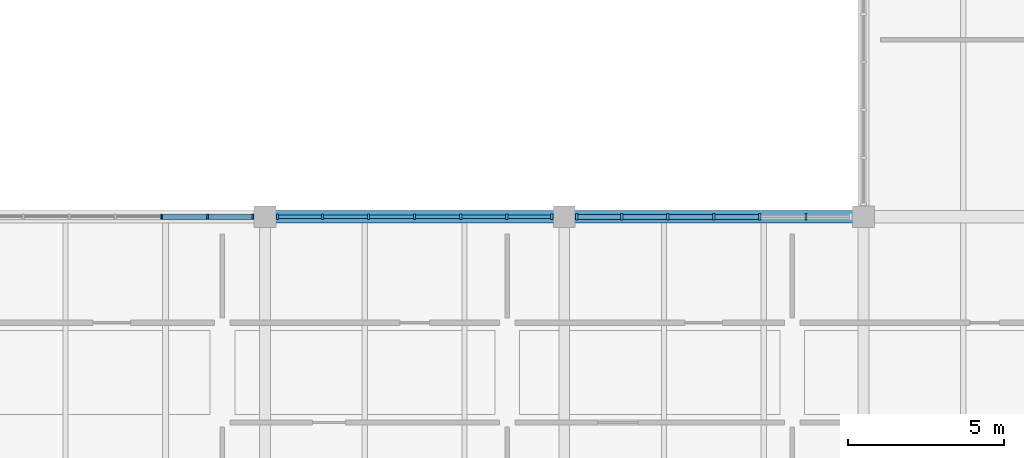
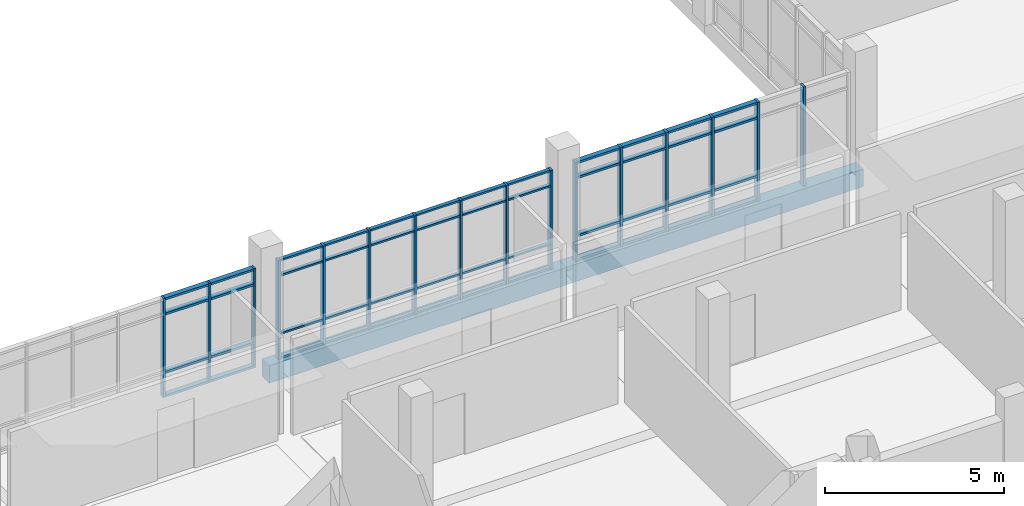
# One storey, part 9 of 57: 64 members, 2 beams, 3 elements without a shape of their own.
"""IFC4 building model written with IfcOpenShell, lengths in metres."""

from ifc_helpers import new_model, si_unit, direction, frame, origin, origin_2d, place, context, subcontext, project, spatial, rectangle, extrude, material, material_profile, profile_set, type_object, element, aggregate, save


model = new_model("IFC4")

# Units and contexts
model_context = context("Model", 3, precision=1e-05, world=origin(), true_north=direction((0.0, 1.0)))
body_context = subcontext(model_context, "Body", "Model", "MODEL_VIEW")
ifc_project = project(units=[si_unit("LENGTHUNIT", "METRE"), si_unit("AREAUNIT", "SQUARE_METRE"), si_unit("VOLUMEUNIT", "CUBIC_METRE"), si_unit("PLANEANGLEUNIT", "RADIAN"), si_unit("MASSUNIT", "GRAM", prefix="KILO")], contexts=[model_context])

# Site, building, storey
site_placement = place(None, origin())
site = spatial("IfcSite", under=ifc_project, at=site_placement, CompositionType="ELEMENT")
building_placement = place(site_placement, origin())
building = spatial("IfcBuilding", under=site, at=building_placement, Name="Oolite Switchyard Hospital", CompositionType="ELEMENT")
storey_placement = place(building_placement, frame((0.0, 0.0, 17.800048828125)))
storey = spatial("IfcBuildingStorey", under=building, at=storey_placement, Name="L04", CompositionType="ELEMENT", Elevation=17.800048828125)

# Beams
ifc_material_1 = material(Name="Concrete C40/50", Category="concrete")
ifc_material_profile_1 = material_profile(ifc_material_1, rectangle(XDim=0.39990234375, YDim=0.60009765625, at=origin_2d()), Name="RCB400X600")
ifc_profile_set_1 = profile_set([ifc_material_profile_1], Name="Concrete C40/50")
beam_type = type_object("IfcBeamType", Name="BM-RC400X600", PredefinedType="BEAM", material=ifc_profile_set_1)
beam_1_placement = place(storey_placement, frame((163.199951171875, 25.199951171875, -0.300048828125), z_axis=(1.0, 0.0, 0.0), x_axis=(0.0, 1.0, 0.0)))
element("IfcBeam", 1, at=beam_1_placement, inside=storey, type_object=beam_type, Name="L04 X-Girder 2774", PredefinedType="BEAM", context=body_context, shape_type="SweptSolid", body=[
    extrude(rectangle(XDim=0.39990234375, YDim=0.60009765625, at=origin_2d()), origin(), (0.0, 0.0, 1.0), 9.60009765625),
])
beam_2_placement = place(storey_placement, frame((172.800048828125, 25.199951171875, -0.300048828125), z_axis=(1.0, 0.0, 0.0), x_axis=(0.0, 1.0, 0.0)))
element("IfcBeam", 2, at=beam_2_placement, inside=storey, type_object=beam_type, Name="L04 X-Girder 2775", PredefinedType="BEAM", context=body_context, shape_type="SweptSolid", body=[
    extrude(rectangle(XDim=0.39990234375, YDim=0.60009765625, at=origin_2d()), origin(), (0.0, 0.0, 1.0), 9.599853515625),
])

# Curtain wall, members
ifc_material_2 = material(Name="Thermally broken aluminum frame with laminated impact glazing", Category="aluminium")
curtain_wall_type = type_object("IfcCurtainWallType", Name="CW-UNIT-96X42", PredefinedType="USERDEFINED", material=ifc_material_2)
curtain_wall_1_placement = place(storey_placement, origin())
curtain_wall_1 = element("IfcCurtainWall", 3, at=curtain_wall_1_placement, inside=storey, type_object=curtain_wall_type, Name="L04 Unitised Curtain Wall 359", ObjectType="UNITISED", PredefinedType="USERDEFINED")
ifc_material_3 = material(Name="Aluminium 6063-T6", Category="aluminium")
ifc_material_profile_2 = material_profile(ifc_material_3, rectangle(XDim=0.159912109375, YDim=0.06005859375, at=origin_2d()), Name="CWM60X160")
ifc_profile_set_2 = profile_set([ifc_material_profile_2], Name="Aluminium 6063-T6")
member_type_1 = type_object("IfcMemberType", Name="CW-MUL-180", PredefinedType="MULLION", material=ifc_profile_set_2)
member_1_placement = place(storey_placement, frame((159.87841796875, 25.199951171875, 0.0), z_axis=(0.0, 0.0, 1.0), x_axis=(0.0, 1.0, 0.0)))
member_1 = element("IfcMember", 4, at=member_1_placement, type_object=member_type_1, Name="CW-05 mullion 5", PredefinedType="MULLION", context=body_context, shape_type="SweptSolid", body=[
    extrude(rectangle(XDim=0.159912109375, YDim=0.06005859375, at=origin_2d()), origin(), (0.0, 0.0, 1.0), 3.389892578125),
])
member_2_placement = place(storey_placement, frame((161.356689453125, 25.199951171875, 0.0), z_axis=(0.0, 0.0, 1.0), x_axis=(0.0, 1.0, 0.0)))
member_2 = element("IfcMember", 5, at=member_2_placement, type_object=member_type_1, Name="CW-05 mullion 6", PredefinedType="MULLION", context=body_context, shape_type="SweptSolid", body=[
    extrude(rectangle(XDim=0.159912109375, YDim=0.06005859375, at=origin_2d()), origin(), (0.0, 0.0, 1.0), 3.389892578125),
])
member_3_placement = place(storey_placement, frame((162.804931640625, 25.199951171875, 0.0), z_axis=(0.0, 0.0, 1.0), x_axis=(0.0, 1.0, 0.0)))
member_3 = element("IfcMember", 6, at=member_3_placement, type_object=member_type_1, Name="CW-05 mullion 7", PredefinedType="MULLION", context=body_context, shape_type="SweptSolid", body=[
    extrude(rectangle(XDim=0.159912109375, YDim=0.06005859375, at=origin_2d()), origin(), (0.0, 0.0, 1.0), 3.389892578125),
])

curtain_wall_2_placement = place(storey_placement, origin())
curtain_wall_2 = element("IfcCurtainWall", 7, at=curtain_wall_2_placement, inside=storey, type_object=curtain_wall_type, Name="L04 Unitised Curtain Wall 360", ObjectType="UNITISED", PredefinedType="USERDEFINED")
ifc_material_profile_3 = material_profile(ifc_material_3, rectangle(XDim=0.179931640625, YDim=0.070068359375, at=origin_2d()), Name="CWM70X180")
ifc_profile_set_3 = profile_set([ifc_material_profile_3], Name="Aluminium 6063-T6")
member_type_2 = type_object("IfcMemberType", Name="CW-MUL-220", PredefinedType="MULLION", material=ifc_profile_set_3)
member_4_placement = place(storey_placement, frame((163.60009765625, 25.199951171875, 0.0), z_axis=(0.0, 0.0, 1.0), x_axis=(0.0, 1.0, 0.0)))
member_4 = element("IfcMember", 8, at=member_4_placement, type_object=member_type_2, Name="CW-05 mullion 1", PredefinedType="MULLION", context=body_context, shape_type="SweptSolid", body=[
    extrude(rectangle(XDim=0.179931640625, YDim=0.070068359375, at=origin_2d()), origin(), (0.0, 0.0, 1.0), 3.389892578125),
])
member_5_placement = place(storey_placement, frame((165.043212890625, 25.199951171875, 0.0), z_axis=(0.0, 0.0, 1.0), x_axis=(0.0, 1.0, 0.0)))
member_5 = element("IfcMember", 9, at=member_5_placement, type_object=member_type_2, Name="CW-05 mullion 2", PredefinedType="MULLION", context=body_context, shape_type="SweptSolid", body=[
    extrude(rectangle(XDim=0.179931640625, YDim=0.070068359375, at=origin_2d()), origin(), (0.0, 0.0, 1.0), 3.389892578125),
])
member_6_placement = place(storey_placement, frame((166.521728515625, 25.199951171875, 0.0), z_axis=(0.0, 0.0, 1.0), x_axis=(0.0, 1.0, 0.0)))
member_6 = element("IfcMember", 10, at=member_6_placement, type_object=member_type_2, Name="CW-05 mullion 3", PredefinedType="MULLION", context=body_context, shape_type="SweptSolid", body=[
    extrude(rectangle(XDim=0.179931640625, YDim=0.070068359375, at=origin_2d()), origin(), (0.0, 0.0, 1.0), 3.389892578125),
])
member_7_placement = place(storey_placement, frame((168.0, 25.199951171875, 0.0), z_axis=(0.0, 0.0, 1.0), x_axis=(0.0, 1.0, 0.0)))
member_7 = element("IfcMember", 11, at=member_7_placement, type_object=member_type_2, Name="CW-05 mullion 4", PredefinedType="MULLION", context=body_context, shape_type="SweptSolid", body=[
    extrude(rectangle(XDim=0.179931640625, YDim=0.070068359375, at=origin_2d()), origin(), (0.0, 0.0, 1.0), 3.389892578125),
])
member_8_placement = place(storey_placement, frame((169.478271484375, 25.199951171875, 0.0), z_axis=(0.0, 0.0, 1.0), x_axis=(0.0, 1.0, 0.0)))
member_8 = element("IfcMember", 12, at=member_8_placement, type_object=member_type_2, Name="CW-05 mullion 5", PredefinedType="MULLION", context=body_context, shape_type="SweptSolid", body=[
    extrude(rectangle(XDim=0.179931640625, YDim=0.070068359375, at=origin_2d()), origin(), (0.0, 0.0, 1.0), 3.389892578125),
])
member_9_placement = place(storey_placement, frame((170.956787109375, 25.199951171875, 0.0), z_axis=(0.0, 0.0, 1.0), x_axis=(0.0, 1.0, 0.0)))
member_9 = element("IfcMember", 13, at=member_9_placement, type_object=member_type_2, Name="CW-05 mullion 6", PredefinedType="MULLION", context=body_context, shape_type="SweptSolid", body=[
    extrude(rectangle(XDim=0.179931640625, YDim=0.070068359375, at=origin_2d()), origin(), (0.0, 0.0, 1.0), 3.389892578125),
])
member_10_placement = place(storey_placement, frame((172.39990234375, 25.199951171875, 0.0), z_axis=(0.0, 0.0, 1.0), x_axis=(0.0, 1.0, 0.0)))
member_10 = element("IfcMember", 14, at=member_10_placement, type_object=member_type_2, Name="CW-05 mullion 7", PredefinedType="MULLION", context=body_context, shape_type="SweptSolid", body=[
    extrude(rectangle(XDim=0.179931640625, YDim=0.070068359375, at=origin_2d()), origin(), (0.0, 0.0, 1.0), 3.389892578125),
])

curtain_wall_3_placement = place(storey_placement, origin())
curtain_wall_3 = element("IfcCurtainWall", 15, at=curtain_wall_3_placement, inside=storey, type_object=curtain_wall_type, Name="L04 Unitised Curtain Wall 361", ObjectType="UNITISED", PredefinedType="USERDEFINED")
ifc_material_profile_4 = material_profile(ifc_material_3, rectangle(XDim=0.199951171875, YDim=0.074951171875, at=origin_2d()), Name="CWM75X200")
ifc_profile_set_4 = profile_set([ifc_material_profile_4], Name="Aluminium 6063-T6")
member_type_3 = type_object("IfcMemberType", Name="CW-MUL-260", PredefinedType="MULLION", material=ifc_profile_set_4)
member_11_placement = place(storey_placement, frame((173.202392578125, 25.199951171875, 0.0), z_axis=(0.0, 0.0, 1.0), x_axis=(0.0, 1.0, 0.0)))
member_11 = element("IfcMember", 16, at=member_11_placement, type_object=member_type_3, Name="CW-05 mullion 1", PredefinedType="MULLION", context=body_context, shape_type="SweptSolid", body=[
    extrude(rectangle(XDim=0.199951171875, YDim=0.074951171875, at=origin_2d()), origin(), (0.0, 0.0, 1.0), 3.389892578125),
])
member_12_placement = place(storey_placement, frame((174.643310546875, 25.199951171875, 0.0), z_axis=(0.0, 0.0, 1.0), x_axis=(0.0, 1.0, 0.0)))
member_12 = element("IfcMember", 17, at=member_12_placement, type_object=member_type_3, Name="CW-05 mullion 2", PredefinedType="MULLION", context=body_context, shape_type="SweptSolid", body=[
    extrude(rectangle(XDim=0.199951171875, YDim=0.074951171875, at=origin_2d()), origin(), (0.0, 0.0, 1.0), 3.389892578125),
])
member_13_placement = place(storey_placement, frame((176.12158203125, 25.199951171875, 0.0), z_axis=(0.0, 0.0, 1.0), x_axis=(0.0, 1.0, 0.0)))
member_13 = element("IfcMember", 18, at=member_13_placement, type_object=member_type_3, Name="CW-05 mullion 3", PredefinedType="MULLION", context=body_context, shape_type="SweptSolid", body=[
    extrude(rectangle(XDim=0.199951171875, YDim=0.074951171875, at=origin_2d()), origin(), (0.0, 0.0, 1.0), 3.389892578125),
])
member_14_placement = place(storey_placement, frame((177.60009765625, 25.199951171875, 0.0), z_axis=(0.0, 0.0, 1.0), x_axis=(0.0, 1.0, 0.0)))
member_14 = element("IfcMember", 19, at=member_14_placement, type_object=member_type_3, Name="CW-05 mullion 4", PredefinedType="MULLION", context=body_context, shape_type="SweptSolid", body=[
    extrude(rectangle(XDim=0.199951171875, YDim=0.074951171875, at=origin_2d()), origin(), (0.0, 0.0, 1.0), 3.389892578125),
])
member_15_placement = place(storey_placement, frame((179.078369140625, 25.199951171875, 0.0), z_axis=(0.0, 0.0, 1.0), x_axis=(0.0, 1.0, 0.0)))
member_15 = element("IfcMember", 20, at=member_15_placement, type_object=member_type_3, Name="CW-05 mullion 5", PredefinedType="MULLION", context=body_context, shape_type="SweptSolid", body=[
    extrude(rectangle(XDim=0.199951171875, YDim=0.074951171875, at=origin_2d()), origin(), (0.0, 0.0, 1.0), 3.389892578125),
])
member_16_placement = place(storey_placement, frame((180.556640625, 25.199951171875, 0.0), z_axis=(0.0, 0.0, 1.0), x_axis=(0.0, 1.0, 0.0)))
member_16 = element("IfcMember", 21, at=member_16_placement, type_object=member_type_3, Name="CW-05 mullion 6", PredefinedType="MULLION", context=body_context, shape_type="SweptSolid", body=[
    extrude(rectangle(XDim=0.199951171875, YDim=0.074951171875, at=origin_2d()), origin(), (0.0, 0.0, 1.0), 3.389892578125),
])

# Member
ifc_material_profile_5 = material_profile(ifc_material_3, rectangle(XDim=0.1201171875, YDim=0.06005859375, at=origin_2d()), Name="CWT60X120")
ifc_profile_set_5 = profile_set([ifc_material_profile_5], Name="Aluminium 6063-T6")
member_type_4 = type_object("IfcMemberType", Name="CW-TRN-150", PredefinedType="USERDEFINED", material=ifc_profile_set_5)
member_17_placement = place(storey_placement, frame((163.635009765625, 25.199951171875, 0.030029296875), z_axis=(1.0, 0.0, 0.0), x_axis=(0.0, 1.0, 0.0)))
member_17 = element("IfcMember", 22, at=member_17_placement, type_object=member_type_4, Name="CW-05 transom 1.1", ObjectType="TRANSOM", PredefinedType="USERDEFINED", context=body_context, shape_type="SweptSolid", body=[
    extrude(rectangle(XDim=0.1201171875, YDim=0.06005859375, at=origin_2d()), origin(), (0.0, 0.0, 1.0), 1.373291015625),
])

member_18_placement = place(storey_placement, frame((163.635009765625, 25.199951171875, 0.849853515625), z_axis=(1.0, 0.0, 0.0), x_axis=(0.0, 1.0, 0.0)))
member_18 = element("IfcMember", 23, at=member_18_placement, type_object=member_type_4, Name="CW-05 transom 1.2", ObjectType="TRANSOM", PredefinedType="USERDEFINED", context=body_context, shape_type="SweptSolid", body=[
    extrude(rectangle(XDim=0.1201171875, YDim=0.06005859375, at=origin_2d()), origin(), (0.0, 0.0, 1.0), 1.373291015625),
])

member_19_placement = place(storey_placement, frame((163.635009765625, 25.199951171875, 2.83984375), z_axis=(1.0, 0.0, 0.0), x_axis=(0.0, 1.0, 0.0)))
member_19 = element("IfcMember", 24, at=member_19_placement, type_object=member_type_4, Name="CW-05 transom 1.3", ObjectType="TRANSOM", PredefinedType="USERDEFINED", context=body_context, shape_type="SweptSolid", body=[
    extrude(rectangle(XDim=0.1201171875, YDim=0.06005859375, at=origin_2d()), origin(), (0.0, 0.0, 1.0), 1.373291015625),
])

member_20_placement = place(storey_placement, frame((163.635009765625, 25.199951171875, 3.35986328125), z_axis=(1.0, 0.0, 0.0), x_axis=(0.0, 1.0, 0.0)))
member_20 = element("IfcMember", 25, at=member_20_placement, type_object=member_type_4, Name="CW-05 transom 1.4", ObjectType="TRANSOM", PredefinedType="USERDEFINED", context=body_context, shape_type="SweptSolid", body=[
    extrude(rectangle(XDim=0.1201171875, YDim=0.06005859375, at=origin_2d()), origin(), (0.0, 0.0, 1.0), 1.373291015625),
])

member_21_placement = place(storey_placement, frame((165.078369140625, 25.199951171875, 0.030029296875), z_axis=(1.0, 0.0, 0.0), x_axis=(0.0, 1.0, 0.0)))
member_21 = element("IfcMember", 26, at=member_21_placement, type_object=member_type_4, Name="CW-05 transom 2.1", ObjectType="TRANSOM", PredefinedType="USERDEFINED", context=body_context, shape_type="SweptSolid", body=[
    extrude(rectangle(XDim=0.1201171875, YDim=0.06005859375, at=origin_2d()), origin(), (0.0, 0.0, 1.0), 1.408203125),
])

member_22_placement = place(storey_placement, frame((165.078369140625, 25.199951171875, 0.849853515625), z_axis=(1.0, 0.0, 0.0), x_axis=(0.0, 1.0, 0.0)))
member_22 = element("IfcMember", 27, at=member_22_placement, type_object=member_type_4, Name="CW-05 transom 2.2", ObjectType="TRANSOM", PredefinedType="USERDEFINED", context=body_context, shape_type="SweptSolid", body=[
    extrude(rectangle(XDim=0.1201171875, YDim=0.06005859375, at=origin_2d()), origin(), (0.0, 0.0, 1.0), 1.408203125),
])

member_23_placement = place(storey_placement, frame((165.078369140625, 25.199951171875, 2.83984375), z_axis=(1.0, 0.0, 0.0), x_axis=(0.0, 1.0, 0.0)))
member_23 = element("IfcMember", 28, at=member_23_placement, type_object=member_type_4, Name="CW-05 transom 2.3", ObjectType="TRANSOM", PredefinedType="USERDEFINED", context=body_context, shape_type="SweptSolid", body=[
    extrude(rectangle(XDim=0.1201171875, YDim=0.06005859375, at=origin_2d()), origin(), (0.0, 0.0, 1.0), 1.408203125),
])

member_24_placement = place(storey_placement, frame((165.078369140625, 25.199951171875, 3.35986328125), z_axis=(1.0, 0.0, 0.0), x_axis=(0.0, 1.0, 0.0)))
member_24 = element("IfcMember", 29, at=member_24_placement, type_object=member_type_4, Name="CW-05 transom 2.4", ObjectType="TRANSOM", PredefinedType="USERDEFINED", context=body_context, shape_type="SweptSolid", body=[
    extrude(rectangle(XDim=0.1201171875, YDim=0.06005859375, at=origin_2d()), origin(), (0.0, 0.0, 1.0), 1.408203125),
])

member_25_placement = place(storey_placement, frame((166.556640625, 25.199951171875, 0.030029296875), z_axis=(1.0, 0.0, 0.0), x_axis=(0.0, 1.0, 0.0)))
member_25 = element("IfcMember", 30, at=member_25_placement, type_object=member_type_4, Name="CW-05 transom 3.1", ObjectType="TRANSOM", PredefinedType="USERDEFINED", context=body_context, shape_type="SweptSolid", body=[
    extrude(rectangle(XDim=0.1201171875, YDim=0.06005859375, at=origin_2d()), origin(), (0.0, 0.0, 1.0), 1.408447265625),
])

member_26_placement = place(storey_placement, frame((166.556640625, 25.199951171875, 0.849853515625), z_axis=(1.0, 0.0, 0.0), x_axis=(0.0, 1.0, 0.0)))
member_26 = element("IfcMember", 31, at=member_26_placement, type_object=member_type_4, Name="CW-05 transom 3.2", ObjectType="TRANSOM", PredefinedType="USERDEFINED", context=body_context, shape_type="SweptSolid", body=[
    extrude(rectangle(XDim=0.1201171875, YDim=0.06005859375, at=origin_2d()), origin(), (0.0, 0.0, 1.0), 1.408447265625),
])

member_27_placement = place(storey_placement, frame((166.556640625, 25.199951171875, 2.83984375), z_axis=(1.0, 0.0, 0.0), x_axis=(0.0, 1.0, 0.0)))
member_27 = element("IfcMember", 32, at=member_27_placement, type_object=member_type_4, Name="CW-05 transom 3.3", ObjectType="TRANSOM", PredefinedType="USERDEFINED", context=body_context, shape_type="SweptSolid", body=[
    extrude(rectangle(XDim=0.1201171875, YDim=0.06005859375, at=origin_2d()), origin(), (0.0, 0.0, 1.0), 1.408447265625),
])

member_28_placement = place(storey_placement, frame((166.556640625, 25.199951171875, 3.35986328125), z_axis=(1.0, 0.0, 0.0), x_axis=(0.0, 1.0, 0.0)))
member_28 = element("IfcMember", 33, at=member_28_placement, type_object=member_type_4, Name="CW-05 transom 3.4", ObjectType="TRANSOM", PredefinedType="USERDEFINED", context=body_context, shape_type="SweptSolid", body=[
    extrude(rectangle(XDim=0.1201171875, YDim=0.06005859375, at=origin_2d()), origin(), (0.0, 0.0, 1.0), 1.408447265625),
])

member_29_placement = place(storey_placement, frame((168.034912109375, 25.199951171875, 0.030029296875), z_axis=(1.0, 0.0, 0.0), x_axis=(0.0, 1.0, 0.0)))
member_29 = element("IfcMember", 34, at=member_29_placement, type_object=member_type_4, Name="CW-05 transom 4.1", ObjectType="TRANSOM", PredefinedType="USERDEFINED", context=body_context, shape_type="SweptSolid", body=[
    extrude(rectangle(XDim=0.1201171875, YDim=0.06005859375, at=origin_2d()), origin(), (0.0, 0.0, 1.0), 1.408447265625),
])

member_30_placement = place(storey_placement, frame((168.034912109375, 25.199951171875, 0.849853515625), z_axis=(1.0, 0.0, 0.0), x_axis=(0.0, 1.0, 0.0)))
member_30 = element("IfcMember", 35, at=member_30_placement, type_object=member_type_4, Name="CW-05 transom 4.2", ObjectType="TRANSOM", PredefinedType="USERDEFINED", context=body_context, shape_type="SweptSolid", body=[
    extrude(rectangle(XDim=0.1201171875, YDim=0.06005859375, at=origin_2d()), origin(), (0.0, 0.0, 1.0), 1.408447265625),
])

member_31_placement = place(storey_placement, frame((168.034912109375, 25.199951171875, 2.83984375), z_axis=(1.0, 0.0, 0.0), x_axis=(0.0, 1.0, 0.0)))
member_31 = element("IfcMember", 36, at=member_31_placement, type_object=member_type_4, Name="CW-05 transom 4.3", ObjectType="TRANSOM", PredefinedType="USERDEFINED", context=body_context, shape_type="SweptSolid", body=[
    extrude(rectangle(XDim=0.1201171875, YDim=0.06005859375, at=origin_2d()), origin(), (0.0, 0.0, 1.0), 1.408447265625),
])

member_32_placement = place(storey_placement, frame((168.034912109375, 25.199951171875, 3.35986328125), z_axis=(1.0, 0.0, 0.0), x_axis=(0.0, 1.0, 0.0)))
member_32 = element("IfcMember", 37, at=member_32_placement, type_object=member_type_4, Name="CW-05 transom 4.4", ObjectType="TRANSOM", PredefinedType="USERDEFINED", context=body_context, shape_type="SweptSolid", body=[
    extrude(rectangle(XDim=0.1201171875, YDim=0.06005859375, at=origin_2d()), origin(), (0.0, 0.0, 1.0), 1.408447265625),
])

member_33_placement = place(storey_placement, frame((169.513427734375, 25.199951171875, 0.030029296875), z_axis=(1.0, 0.0, 0.0), x_axis=(0.0, 1.0, 0.0)))
member_33 = element("IfcMember", 38, at=member_33_placement, type_object=member_type_4, Name="CW-05 transom 5.1", ObjectType="TRANSOM", PredefinedType="USERDEFINED", context=body_context, shape_type="SweptSolid", body=[
    extrude(rectangle(XDim=0.1201171875, YDim=0.06005859375, at=origin_2d()), origin(), (0.0, 0.0, 1.0), 1.408203125),
])

member_34_placement = place(storey_placement, frame((169.513427734375, 25.199951171875, 0.849853515625), z_axis=(1.0, 0.0, 0.0), x_axis=(0.0, 1.0, 0.0)))
member_34 = element("IfcMember", 39, at=member_34_placement, type_object=member_type_4, Name="CW-05 transom 5.2", ObjectType="TRANSOM", PredefinedType="USERDEFINED", context=body_context, shape_type="SweptSolid", body=[
    extrude(rectangle(XDim=0.1201171875, YDim=0.06005859375, at=origin_2d()), origin(), (0.0, 0.0, 1.0), 1.408203125),
])

member_35_placement = place(storey_placement, frame((169.513427734375, 25.199951171875, 2.83984375), z_axis=(1.0, 0.0, 0.0), x_axis=(0.0, 1.0, 0.0)))
member_35 = element("IfcMember", 40, at=member_35_placement, type_object=member_type_4, Name="CW-05 transom 5.3", ObjectType="TRANSOM", PredefinedType="USERDEFINED", context=body_context, shape_type="SweptSolid", body=[
    extrude(rectangle(XDim=0.1201171875, YDim=0.06005859375, at=origin_2d()), origin(), (0.0, 0.0, 1.0), 1.408203125),
])

member_36_placement = place(storey_placement, frame((169.513427734375, 25.199951171875, 3.35986328125), z_axis=(1.0, 0.0, 0.0), x_axis=(0.0, 1.0, 0.0)))
member_36 = element("IfcMember", 41, at=member_36_placement, type_object=member_type_4, Name="CW-05 transom 5.4", ObjectType="TRANSOM", PredefinedType="USERDEFINED", context=body_context, shape_type="SweptSolid", body=[
    extrude(rectangle(XDim=0.1201171875, YDim=0.06005859375, at=origin_2d()), origin(), (0.0, 0.0, 1.0), 1.408203125),
])

member_37_placement = place(storey_placement, frame((170.99169921875, 25.199951171875, 0.030029296875), z_axis=(1.0, 0.0, 0.0), x_axis=(0.0, 1.0, 0.0)))
member_37 = element("IfcMember", 42, at=member_37_placement, type_object=member_type_4, Name="CW-05 transom 6.1", ObjectType="TRANSOM", PredefinedType="USERDEFINED", context=body_context, shape_type="SweptSolid", body=[
    extrude(rectangle(XDim=0.1201171875, YDim=0.06005859375, at=origin_2d()), origin(), (0.0, 0.0, 1.0), 1.373291015625),
])

member_38_placement = place(storey_placement, frame((170.99169921875, 25.199951171875, 0.849853515625), z_axis=(1.0, 0.0, 0.0), x_axis=(0.0, 1.0, 0.0)))
member_38 = element("IfcMember", 43, at=member_38_placement, type_object=member_type_4, Name="CW-05 transom 6.2", ObjectType="TRANSOM", PredefinedType="USERDEFINED", context=body_context, shape_type="SweptSolid", body=[
    extrude(rectangle(XDim=0.1201171875, YDim=0.06005859375, at=origin_2d()), origin(), (0.0, 0.0, 1.0), 1.373291015625),
])

member_39_placement = place(storey_placement, frame((170.99169921875, 25.199951171875, 2.83984375), z_axis=(1.0, 0.0, 0.0), x_axis=(0.0, 1.0, 0.0)))
member_39 = element("IfcMember", 44, at=member_39_placement, type_object=member_type_4, Name="CW-05 transom 6.3", ObjectType="TRANSOM", PredefinedType="USERDEFINED", context=body_context, shape_type="SweptSolid", body=[
    extrude(rectangle(XDim=0.1201171875, YDim=0.06005859375, at=origin_2d()), origin(), (0.0, 0.0, 1.0), 1.373291015625),
])

member_40_placement = place(storey_placement, frame((170.99169921875, 25.199951171875, 3.35986328125), z_axis=(1.0, 0.0, 0.0), x_axis=(0.0, 1.0, 0.0)))
member_40 = element("IfcMember", 45, at=member_40_placement, type_object=member_type_4, Name="CW-05 transom 6.4", ObjectType="TRANSOM", PredefinedType="USERDEFINED", context=body_context, shape_type="SweptSolid", body=[
    extrude(rectangle(XDim=0.1201171875, YDim=0.06005859375, at=origin_2d()), origin(), (0.0, 0.0, 1.0), 1.373291015625),
])

aggregate(curtain_wall_2, [member_4, member_5, member_6, member_7, member_8, member_9, member_10, member_17, member_18, member_19, member_20, member_21, member_22, member_23, member_24, member_25, member_26, member_27, member_28, member_29, member_30, member_31, member_32, member_33, member_34, member_35, member_36, member_37, member_38, member_39, member_40])

ifc_material_profile_6 = material_profile(ifc_material_3, rectangle(XDim=0.159912109375, YDim=0.074951171875, at=origin_2d()), Name="CWT75X160")
ifc_profile_set_6 = profile_set([ifc_material_profile_6], Name="Aluminium 6063-T6")
member_type_5 = type_object("IfcMemberType", Name="CW-TRN-180", PredefinedType="USERDEFINED", material=ifc_profile_set_6)
member_41_placement = place(storey_placement, frame((159.908447265625, 25.199951171875, 0.037353515625), z_axis=(1.0, 0.0, 0.0), x_axis=(0.0, 1.0, 0.0)))
member_41 = element("IfcMember", 46, at=member_41_placement, type_object=member_type_5, Name="CW-05 transom 5.1", ObjectType="TRANSOM", PredefinedType="USERDEFINED", context=body_context, shape_type="SweptSolid", body=[
    extrude(rectangle(XDim=0.159912109375, YDim=0.074951171875, at=origin_2d()), origin(), (0.0, 0.0, 1.0), 1.418212890625),
])

member_42_placement = place(storey_placement, frame((159.908447265625, 25.199951171875, 0.849853515625), z_axis=(1.0, 0.0, 0.0), x_axis=(0.0, 1.0, 0.0)))
member_42 = element("IfcMember", 47, at=member_42_placement, type_object=member_type_5, Name="CW-05 transom 5.2", ObjectType="TRANSOM", PredefinedType="USERDEFINED", context=body_context, shape_type="SweptSolid", body=[
    extrude(rectangle(XDim=0.159912109375, YDim=0.074951171875, at=origin_2d()), origin(), (0.0, 0.0, 1.0), 1.418212890625),
])

member_43_placement = place(storey_placement, frame((159.908447265625, 25.199951171875, 2.83984375), z_axis=(1.0, 0.0, 0.0), x_axis=(0.0, 1.0, 0.0)))
member_43 = element("IfcMember", 48, at=member_43_placement, type_object=member_type_5, Name="CW-05 transom 5.3", ObjectType="TRANSOM", PredefinedType="USERDEFINED", context=body_context, shape_type="SweptSolid", body=[
    extrude(rectangle(XDim=0.159912109375, YDim=0.074951171875, at=origin_2d()), origin(), (0.0, 0.0, 1.0), 1.418212890625),
])

member_44_placement = place(storey_placement, frame((159.908447265625, 25.199951171875, 3.3525390625), z_axis=(1.0, 0.0, 0.0), x_axis=(0.0, 1.0, 0.0)))
member_44 = element("IfcMember", 49, at=member_44_placement, type_object=member_type_5, Name="CW-05 transom 5.4", ObjectType="TRANSOM", PredefinedType="USERDEFINED", context=body_context, shape_type="SweptSolid", body=[
    extrude(rectangle(XDim=0.159912109375, YDim=0.074951171875, at=origin_2d()), origin(), (0.0, 0.0, 1.0), 1.418212890625),
])

member_45_placement = place(storey_placement, frame((161.38671875, 25.199951171875, 0.037353515625), z_axis=(1.0, 0.0, 0.0), x_axis=(0.0, 1.0, 0.0)))
member_45 = element("IfcMember", 50, at=member_45_placement, type_object=member_type_5, Name="CW-05 transom 6.1", ObjectType="TRANSOM", PredefinedType="USERDEFINED", context=body_context, shape_type="SweptSolid", body=[
    extrude(rectangle(XDim=0.159912109375, YDim=0.074951171875, at=origin_2d()), origin(), (0.0, 0.0, 1.0), 1.38818359375),
])

member_46_placement = place(storey_placement, frame((161.38671875, 25.199951171875, 0.849853515625), z_axis=(1.0, 0.0, 0.0), x_axis=(0.0, 1.0, 0.0)))
member_46 = element("IfcMember", 51, at=member_46_placement, type_object=member_type_5, Name="CW-05 transom 6.2", ObjectType="TRANSOM", PredefinedType="USERDEFINED", context=body_context, shape_type="SweptSolid", body=[
    extrude(rectangle(XDim=0.159912109375, YDim=0.074951171875, at=origin_2d()), origin(), (0.0, 0.0, 1.0), 1.38818359375),
])

member_47_placement = place(storey_placement, frame((161.38671875, 25.199951171875, 2.83984375), z_axis=(1.0, 0.0, 0.0), x_axis=(0.0, 1.0, 0.0)))
member_47 = element("IfcMember", 52, at=member_47_placement, type_object=member_type_5, Name="CW-05 transom 6.3", ObjectType="TRANSOM", PredefinedType="USERDEFINED", context=body_context, shape_type="SweptSolid", body=[
    extrude(rectangle(XDim=0.159912109375, YDim=0.074951171875, at=origin_2d()), origin(), (0.0, 0.0, 1.0), 1.38818359375),
])

member_48_placement = place(storey_placement, frame((161.38671875, 25.199951171875, 3.3525390625), z_axis=(1.0, 0.0, 0.0), x_axis=(0.0, 1.0, 0.0)))
member_48 = element("IfcMember", 53, at=member_48_placement, type_object=member_type_5, Name="CW-05 transom 6.4", ObjectType="TRANSOM", PredefinedType="USERDEFINED", context=body_context, shape_type="SweptSolid", body=[
    extrude(rectangle(XDim=0.159912109375, YDim=0.074951171875, at=origin_2d()), origin(), (0.0, 0.0, 1.0), 1.38818359375),
])

aggregate(curtain_wall_1, [member_1, member_2, member_3, member_41, member_42, member_43, member_44, member_45, member_46, member_47, member_48])

member_49_placement = place(storey_placement, frame((173.239990234375, 25.199951171875, 0.037353515625), z_axis=(1.0, 0.0, 0.0), x_axis=(0.0, 1.0, 0.0)))
member_49 = element("IfcMember", 54, at=member_49_placement, type_object=member_type_5, Name="CW-05 transom 1.1", ObjectType="TRANSOM", PredefinedType="USERDEFINED", context=body_context, shape_type="SweptSolid", body=[
    extrude(rectangle(XDim=0.159912109375, YDim=0.074951171875, at=origin_2d()), origin(), (0.0, 0.0, 1.0), 1.36572265625),
])

member_50_placement = place(storey_placement, frame((173.239990234375, 25.199951171875, 0.849853515625), z_axis=(1.0, 0.0, 0.0), x_axis=(0.0, 1.0, 0.0)))
member_50 = element("IfcMember", 55, at=member_50_placement, type_object=member_type_5, Name="CW-05 transom 1.2", ObjectType="TRANSOM", PredefinedType="USERDEFINED", context=body_context, shape_type="SweptSolid", body=[
    extrude(rectangle(XDim=0.159912109375, YDim=0.074951171875, at=origin_2d()), origin(), (0.0, 0.0, 1.0), 1.36572265625),
])

member_51_placement = place(storey_placement, frame((173.239990234375, 25.199951171875, 2.83984375), z_axis=(1.0, 0.0, 0.0), x_axis=(0.0, 1.0, 0.0)))
member_51 = element("IfcMember", 56, at=member_51_placement, type_object=member_type_5, Name="CW-05 transom 1.3", ObjectType="TRANSOM", PredefinedType="USERDEFINED", context=body_context, shape_type="SweptSolid", body=[
    extrude(rectangle(XDim=0.159912109375, YDim=0.074951171875, at=origin_2d()), origin(), (0.0, 0.0, 1.0), 1.36572265625),
])

member_52_placement = place(storey_placement, frame((173.239990234375, 25.199951171875, 3.3525390625), z_axis=(1.0, 0.0, 0.0), x_axis=(0.0, 1.0, 0.0)))
member_52 = element("IfcMember", 57, at=member_52_placement, type_object=member_type_5, Name="CW-05 transom 1.4", ObjectType="TRANSOM", PredefinedType="USERDEFINED", context=body_context, shape_type="SweptSolid", body=[
    extrude(rectangle(XDim=0.159912109375, YDim=0.074951171875, at=origin_2d()), origin(), (0.0, 0.0, 1.0), 1.36572265625),
])

member_53_placement = place(storey_placement, frame((174.680908203125, 25.199951171875, 0.037353515625), z_axis=(1.0, 0.0, 0.0), x_axis=(0.0, 1.0, 0.0)))
member_53 = element("IfcMember", 58, at=member_53_placement, type_object=member_type_5, Name="CW-05 transom 2.1", ObjectType="TRANSOM", PredefinedType="USERDEFINED", context=body_context, shape_type="SweptSolid", body=[
    extrude(rectangle(XDim=0.159912109375, YDim=0.074951171875, at=origin_2d()), origin(), (0.0, 0.0, 1.0), 1.4033203125),
])

member_54_placement = place(storey_placement, frame((174.680908203125, 25.199951171875, 0.849853515625), z_axis=(1.0, 0.0, 0.0), x_axis=(0.0, 1.0, 0.0)))
member_54 = element("IfcMember", 59, at=member_54_placement, type_object=member_type_5, Name="CW-05 transom 2.2", ObjectType="TRANSOM", PredefinedType="USERDEFINED", context=body_context, shape_type="SweptSolid", body=[
    extrude(rectangle(XDim=0.159912109375, YDim=0.074951171875, at=origin_2d()), origin(), (0.0, 0.0, 1.0), 1.4033203125),
])

member_55_placement = place(storey_placement, frame((174.680908203125, 25.199951171875, 2.83984375), z_axis=(1.0, 0.0, 0.0), x_axis=(0.0, 1.0, 0.0)))
member_55 = element("IfcMember", 60, at=member_55_placement, type_object=member_type_5, Name="CW-05 transom 2.3", ObjectType="TRANSOM", PredefinedType="USERDEFINED", context=body_context, shape_type="SweptSolid", body=[
    extrude(rectangle(XDim=0.159912109375, YDim=0.074951171875, at=origin_2d()), origin(), (0.0, 0.0, 1.0), 1.4033203125),
])

member_56_placement = place(storey_placement, frame((174.680908203125, 25.199951171875, 3.3525390625), z_axis=(1.0, 0.0, 0.0), x_axis=(0.0, 1.0, 0.0)))
member_56 = element("IfcMember", 61, at=member_56_placement, type_object=member_type_5, Name="CW-05 transom 2.4", ObjectType="TRANSOM", PredefinedType="USERDEFINED", context=body_context, shape_type="SweptSolid", body=[
    extrude(rectangle(XDim=0.159912109375, YDim=0.074951171875, at=origin_2d()), origin(), (0.0, 0.0, 1.0), 1.4033203125),
])

member_57_placement = place(storey_placement, frame((176.1591796875, 25.199951171875, 0.037353515625), z_axis=(1.0, 0.0, 0.0), x_axis=(0.0, 1.0, 0.0)))
member_57 = element("IfcMember", 62, at=member_57_placement, type_object=member_type_5, Name="CW-05 transom 3.1", ObjectType="TRANSOM", PredefinedType="USERDEFINED", context=body_context, shape_type="SweptSolid", body=[
    extrude(rectangle(XDim=0.159912109375, YDim=0.074951171875, at=origin_2d()), origin(), (0.0, 0.0, 1.0), 1.4033203125),
])

member_58_placement = place(storey_placement, frame((176.1591796875, 25.199951171875, 0.849853515625), z_axis=(1.0, 0.0, 0.0), x_axis=(0.0, 1.0, 0.0)))
member_58 = element("IfcMember", 63, at=member_58_placement, type_object=member_type_5, Name="CW-05 transom 3.2", ObjectType="TRANSOM", PredefinedType="USERDEFINED", context=body_context, shape_type="SweptSolid", body=[
    extrude(rectangle(XDim=0.159912109375, YDim=0.074951171875, at=origin_2d()), origin(), (0.0, 0.0, 1.0), 1.4033203125),
])

member_59_placement = place(storey_placement, frame((176.1591796875, 25.199951171875, 2.83984375), z_axis=(1.0, 0.0, 0.0), x_axis=(0.0, 1.0, 0.0)))
member_59 = element("IfcMember", 64, at=member_59_placement, type_object=member_type_5, Name="CW-05 transom 3.3", ObjectType="TRANSOM", PredefinedType="USERDEFINED", context=body_context, shape_type="SweptSolid", body=[
    extrude(rectangle(XDim=0.159912109375, YDim=0.074951171875, at=origin_2d()), origin(), (0.0, 0.0, 1.0), 1.4033203125),
])

member_60_placement = place(storey_placement, frame((176.1591796875, 25.199951171875, 3.3525390625), z_axis=(1.0, 0.0, 0.0), x_axis=(0.0, 1.0, 0.0)))
member_60 = element("IfcMember", 65, at=member_60_placement, type_object=member_type_5, Name="CW-05 transom 3.4", ObjectType="TRANSOM", PredefinedType="USERDEFINED", context=body_context, shape_type="SweptSolid", body=[
    extrude(rectangle(XDim=0.159912109375, YDim=0.074951171875, at=origin_2d()), origin(), (0.0, 0.0, 1.0), 1.4033203125),
])

member_61_placement = place(storey_placement, frame((177.637451171875, 25.199951171875, 0.037353515625), z_axis=(1.0, 0.0, 0.0), x_axis=(0.0, 1.0, 0.0)))
member_61 = element("IfcMember", 66, at=member_61_placement, type_object=member_type_5, Name="CW-05 transom 4.1", ObjectType="TRANSOM", PredefinedType="USERDEFINED", context=body_context, shape_type="SweptSolid", body=[
    extrude(rectangle(XDim=0.159912109375, YDim=0.074951171875, at=origin_2d()), origin(), (0.0, 0.0, 1.0), 1.4033203125),
])

member_62_placement = place(storey_placement, frame((177.637451171875, 25.199951171875, 0.849853515625), z_axis=(1.0, 0.0, 0.0), x_axis=(0.0, 1.0, 0.0)))
member_62 = element("IfcMember", 67, at=member_62_placement, type_object=member_type_5, Name="CW-05 transom 4.2", ObjectType="TRANSOM", PredefinedType="USERDEFINED", context=body_context, shape_type="SweptSolid", body=[
    extrude(rectangle(XDim=0.159912109375, YDim=0.074951171875, at=origin_2d()), origin(), (0.0, 0.0, 1.0), 1.4033203125),
])

member_63_placement = place(storey_placement, frame((177.637451171875, 25.199951171875, 2.83984375), z_axis=(1.0, 0.0, 0.0), x_axis=(0.0, 1.0, 0.0)))
member_63 = element("IfcMember", 68, at=member_63_placement, type_object=member_type_5, Name="CW-05 transom 4.3", ObjectType="TRANSOM", PredefinedType="USERDEFINED", context=body_context, shape_type="SweptSolid", body=[
    extrude(rectangle(XDim=0.159912109375, YDim=0.074951171875, at=origin_2d()), origin(), (0.0, 0.0, 1.0), 1.4033203125),
])

member_64_placement = place(storey_placement, frame((177.637451171875, 25.199951171875, 3.3525390625), z_axis=(1.0, 0.0, 0.0), x_axis=(0.0, 1.0, 0.0)))
member_64 = element("IfcMember", 69, at=member_64_placement, type_object=member_type_5, Name="CW-05 transom 4.4", ObjectType="TRANSOM", PredefinedType="USERDEFINED", context=body_context, shape_type="SweptSolid", body=[
    extrude(rectangle(XDim=0.159912109375, YDim=0.074951171875, at=origin_2d()), origin(), (0.0, 0.0, 1.0), 1.4033203125),
])

aggregate(curtain_wall_3, [member_11, member_12, member_13, member_14, member_15, member_16, member_49, member_50, member_51, member_52, member_53, member_54, member_55, member_56, member_57, member_58, member_59, member_60, member_61, member_62, member_63, member_64])

save(model, "model.ifc")
